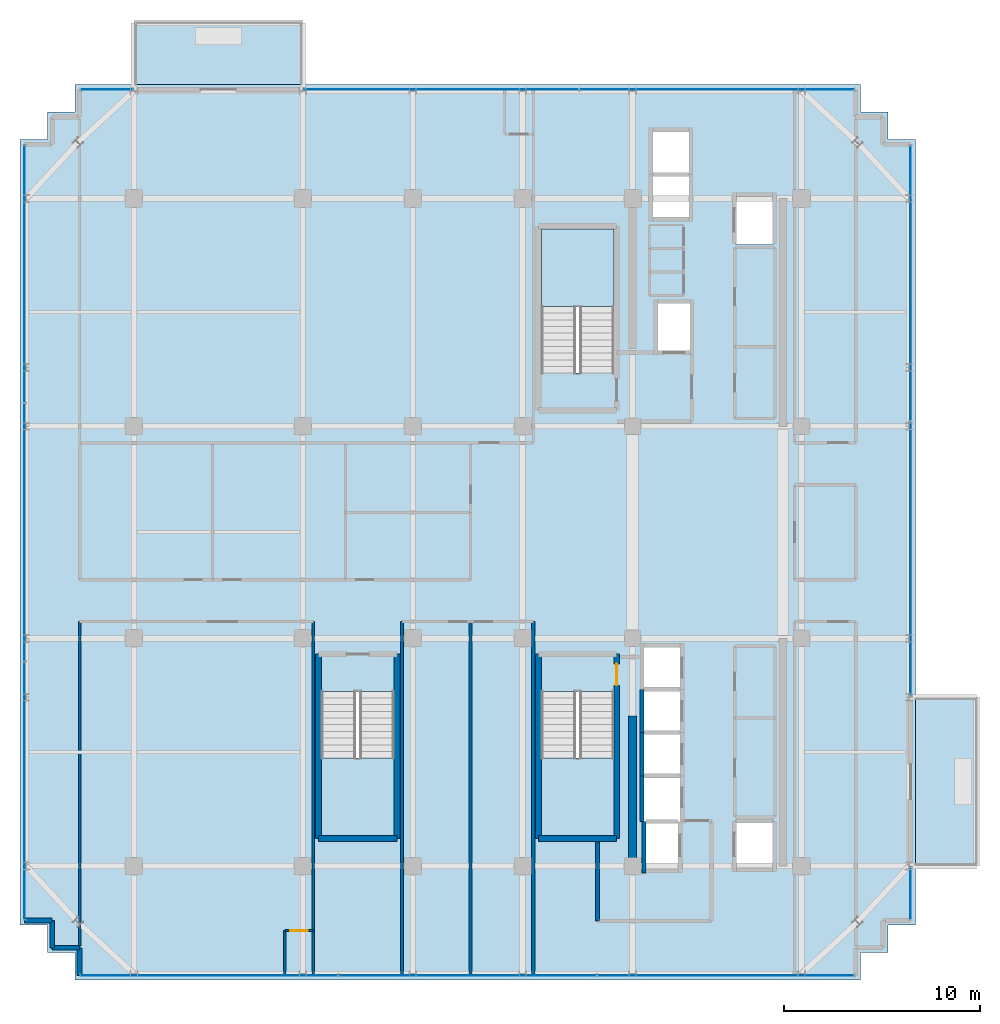
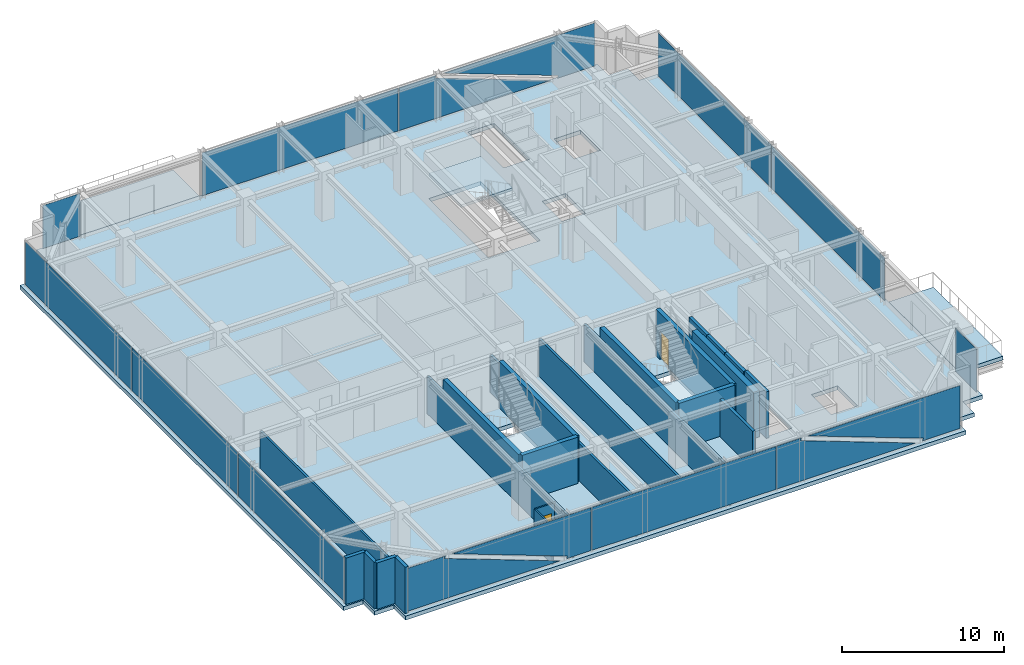
# One storey, part 23 of 31: 23 walls, 12 plates, 6 slabs, 2 doors, 2 openings, 9 elements without a shape of their own.
"""IFC4 building model written with IfcOpenShell, lengths in metres."""

from ifc_helpers import new_model, si_unit, direction, frame, frame_2d, origin, origin_2d, place, context, subcontext, project, spatial, polyline, rectangle, outline, extrude, source, transform, mapped, material, layer, layer_set, type_object, element, fill, aggregate, save


model = new_model("IFC4")

# Units and contexts
model_context = context("Model", 3, precision=1e-05, world=origin(), true_north=direction((0.0, 1.0)))
body_context = subcontext(model_context, "Body", "Model", "MODEL_VIEW")
ifc_project = project(units=[si_unit("LENGTHUNIT", "METRE"), si_unit("AREAUNIT", "SQUARE_METRE"), si_unit("VOLUMEUNIT", "CUBIC_METRE"), si_unit("PLANEANGLEUNIT", "RADIAN"), si_unit("MASSUNIT", "GRAM", prefix="KILO")], contexts=[model_context])

# Site, building, storey
site_placement = place(None, origin())
site = spatial("IfcSite", under=ifc_project, at=site_placement, CompositionType="ELEMENT")
building_placement = place(site_placement, origin())
building = spatial("IfcBuilding", under=site, at=building_placement, Name="Nahalor Promenade Grand Hotel", CompositionType="ELEMENT")
storey_placement = place(building_placement, frame((0.0, 0.0, 327.14990234375)))
storey = spatial("IfcBuildingStorey", under=building, at=storey_placement, Name="L84", CompositionType="ELEMENT", Elevation=327.14990234375)

# Curtain wall, plates
ifc_material_1 = material(Name="Anodised Bronze Aluminium EN AW-6063 T6", Category="aluminium")
curtain_wall_type = type_object("IfcCurtainWallType", Name="CW2 Typical Hotel Flush Bronze Unitised Curtain Wall", PredefinedType="USERDEFINED", material=ifc_material_1)
curtain_wall_1_placement = place(storey_placement, origin())
curtain_wall_1 = element("IfcCurtainWall", 1, at=curtain_wall_1_placement, inside=storey, type_object=curtain_wall_type, Name="L84 Curtain Wall CW-L84-S-1", ObjectType="UNITISED_CURTAIN_WALL", PredefinedType="USERDEFINED")
ifc_material_2 = material(Name="Low-E Laminated Solar Glass", Category="glass")
ifc_layer_1 = layer(ifc_material_2, 0.028076171875)
ifc_layer_set_1 = layer_set([ifc_layer_1], Name="Low-E Laminated Solar Glass")
plate_type = type_object("IfcPlateType", Name="CWP2 Bronze Low-E Vision IGU 28mm", PredefinedType="CURTAIN_PANEL", material=ifc_layer_set_1)
plate_1_placement = place(storey_placement, frame((-13.156982421875, -22.56005859375, 0.1298828125), z_axis=(0.0, 0.0, 1.0), x_axis=(1.0, 0.0, 0.0)))
plate_1 = element("IfcPlate", 2, at=plate_1_placement, type_object=plate_type, Name="CW-L84-S-1 Glazing Panel 0-0", PredefinedType="CURTAIN_PANEL", context=body_context, shape_type="SweptSolid", body=[
    extrude(outline(polyline([(-6.537841796875, 3.239990234375), (-6.537841796875, 0.0), (4.30908203125, 0.0), (-3.927490234375, 3.064697265625), (-3.862060546875, 3.239990234375), (-6.537841796875, 3.239990234375)])), frame((0.0, 0.01416015625, 0.0), z_axis=(0.0, -1.0, 0.0), x_axis=(1.0, 0.0, 0.0)), (0.0, 0.0, 1.0), 0.028076171875),
    extrude(outline(polyline([(6.537841796875, 0.0), (6.537841796875, 3.239990234375), (-3.394775390625, 3.239990234375), (4.841552734375, 0.17529296875), (4.7763671875, 0.0), (6.537841796875, 0.0)])), frame((0.0, 0.01416015625, 0.0), z_axis=(0.0, -1.0, 0.0), x_axis=(1.0, 0.0, 0.0)), (0.0, 0.0, 1.0), 0.028076171875),
])
plate_2_placement = place(storey_placement, frame((13.156982421875, -22.56005859375, 0.1298828125), z_axis=(0.0, 0.0, 1.0), x_axis=(1.0, 0.0, 0.0)))
plate_2 = element("IfcPlate", 3, at=plate_2_placement, type_object=plate_type, Name="CW-L84-S-1 Glazing Panel 2-0", PredefinedType="CURTAIN_PANEL", context=body_context, shape_type="SweptSolid", body=[
    extrude(outline(polyline([(-6.537841796875, 3.239990234375), (-6.537841796875, 0.0), (3.394775390625, 0.0), (-4.841552734375, 3.064697265625), (-4.7763671875, 3.239990234375), (-6.537841796875, 3.239990234375)])), frame((0.0, 0.01416015625, 0.0), z_axis=(0.0, -1.0, 0.0), x_axis=(1.0, 0.0, 0.0)), (0.0, 0.0, 1.0), 0.028076171875),
    extrude(outline(polyline([(6.537841796875, 0.0), (6.537841796875, 3.239990234375), (-4.30908203125, 3.239990234375), (3.927490234375, 0.17529296875), (3.862060546875, 0.0), (6.537841796875, 0.0)])), frame((0.0, 0.01416015625, 0.0), z_axis=(0.0, -1.0, 0.0), x_axis=(1.0, 0.0, 0.0)), (0.0, 0.0, 1.0), 0.028076171875),
])

# Curtain wall, plate
curtain_wall_2_placement = place(storey_placement, origin())
curtain_wall_2 = element("IfcCurtainWall", 4, at=curtain_wall_2_placement, inside=storey, type_object=curtain_wall_type, Name="L84 Curtain Wall CW-L84-N-3", ObjectType="UNITISED_CURTAIN_WALL", PredefinedType="USERDEFINED")
plate_3_placement = place(storey_placement, frame((12.703857421875, 22.56005859375, 0.1298828125), z_axis=(0.0, 0.0, 1.0), x_axis=(1.0, 0.0, 0.0)))
plate_3 = element("IfcPlate", 5, at=plate_3_placement, type_object=plate_type, Name="CW-L84-N-3 Glazing Panel 1-0", PredefinedType="CURTAIN_PANEL", context=body_context, shape_type="SweptSolid", body=[
    extrude(outline(polyline([(-6.9912109375, 3.239990234375), (-6.9912109375, 0.0), (3.84814453125, 0.0), (-4.38818359375, 3.064697265625), (-4.322998046875, 3.239990234375), (-6.9912109375, 3.239990234375)])), frame((0.0, 0.01416015625, 0.0), z_axis=(0.0, -1.0, 0.0), x_axis=(1.0, 0.0, 0.0)), (0.0, 0.0, 1.0), 0.028076171875),
    extrude(outline(polyline([(6.9912109375, 0.0), (6.9912109375, 3.239990234375), (-3.855712890625, 3.239990234375), (4.380615234375, 0.17529296875), (4.3154296875, 0.0), (6.9912109375, 0.0)])), frame((0.0, 0.01416015625, 0.0), z_axis=(0.0, -1.0, 0.0), x_axis=(1.0, 0.0, 0.0)), (0.0, 0.0, 1.0), 0.028076171875),
])

# Stair, slab
ifc_material_3 = material(Name="Concrete B-50 (C40/50)", Category="concrete")
stair_type_1 = type_object("IfcStairType", Name="Stair-ST1", PredefinedType="HALF_TURN_STAIR", material=ifc_material_3)
stair_1_placement = place(storey_placement, origin())
stair_1 = element("IfcStair", 6, at=stair_1_placement, inside=storey, type_object=stair_type_1, Name="L84 ST1", PredefinedType="HALF_TURN_STAIR")
ifc_layer_2 = layer(ifc_material_3, 0.199951171875)
ifc_layer_set_2 = layer_set([ifc_layer_2], Name="Concrete B-50 (C40/50)")
slab_type_1 = type_object("IfcSlabType", Name="Landing-ST1", PredefinedType="LANDING", material=ifc_layer_set_2)
slab_1_placement = place(storey_placement, frame((0.0, 0.0, 1.7001953125)))
slab_1 = element("IfcSlab", 7, at=slab_1_placement, type_object=slab_type_1, Name="ST1 landing 1", PredefinedType="LANDING", context=body_context, shape_type="SweptSolid", body=[
    extrude(outline(polyline([(7.449951171875, 11.5), (7.449951171875, 15.449951171875), (3.75, 15.449951171875), (3.75, 11.5), (7.449951171875, 11.5)])), origin(), (0.0, 0.0, 1.0), 0.199951171875),
])
aggregate(stair_1, [slab_1])

stair_type_2 = type_object("IfcStairType", Name="Stair-ST2", PredefinedType="HALF_TURN_STAIR", material=ifc_material_3)
stair_2_placement = place(storey_placement, origin())
stair_2 = element("IfcStair", 8, at=stair_2_placement, inside=storey, type_object=stair_type_2, Name="L84 ST2", PredefinedType="HALF_TURN_STAIR")
ifc_layer_3 = layer(ifc_material_3, 0.2099609375)
ifc_layer_set_3 = layer_set([ifc_layer_3], Name="Concrete B-50 (C40/50)")
slab_type_2 = type_object("IfcSlabType", Name="Landing-ST2", PredefinedType="LANDING", material=ifc_layer_set_3)
slab_2_placement = place(storey_placement, frame((0.0, 0.0, 1.690185546875)))
slab_2 = element("IfcSlab", 9, at=slab_2_placement, type_object=slab_type_2, Name="ST2 landing 1", PredefinedType="LANDING", context=body_context, shape_type="SweptSolid", body=[
    extrude(outline(polyline([(3.75, -11.5), (3.75, -15.449951171875), (7.449951171875, -15.449951171875), (7.449951171875, -11.5), (3.75, -11.5)])), origin(), (0.0, 0.0, 1.0), 0.2099609375),
])
aggregate(stair_2, [slab_2])

stair_type_3 = type_object("IfcStairType", Name="Stair-ST3", PredefinedType="HALF_TURN_STAIR", material=ifc_material_3)
stair_3_placement = place(storey_placement, origin())
stair_3 = element("IfcStair", 10, at=stair_3_placement, inside=storey, type_object=stair_type_3, Name="L84 ST3", PredefinedType="HALF_TURN_STAIR")
ifc_layer_4 = layer(ifc_material_3, 0.219970703125)
ifc_layer_set_4 = layer_set([ifc_layer_4], Name="Concrete B-50 (C40/50)")
slab_type_3 = type_object("IfcSlabType", Name="Landing-ST3", PredefinedType="LANDING", material=ifc_layer_set_4)
slab_3_placement = place(storey_placement, frame((0.0, 0.0, 1.68017578125)))
slab_3 = element("IfcSlab", 11, at=slab_3_placement, type_object=slab_type_3, Name="ST3 landing 1", PredefinedType="LANDING", context=body_context, shape_type="SweptSolid", body=[
    extrude(outline(polyline([(-7.449951171875, -11.5), (-7.449951171875, -15.449951171875), (-3.75, -15.449951171875), (-3.75, -11.5), (-7.449951171875, -11.5)])), origin(), (0.0, 0.0, 1.0), 0.219970703125),
])
aggregate(stair_3, [slab_3])

# Slabs
ifc_layer_5 = layer(ifc_material_3, 0.280029296875)
ifc_layer_set_5 = layer_set([ifc_layer_5], Name="Concrete B-50 (C40/50)")
slab_type_4 = type_object("IfcSlabType", Name="Slab-Balcony-280", PredefinedType="FLOOR", material=ifc_layer_set_5)
slab_4_placement = place(storey_placement, frame((0.0, 0.0, -0.27978515625)))
element("IfcSlab", 12, at=slab_4_placement, inside=storey, type_object=slab_type_4, Name="L84 Cantilevered Planted Balcony 1", PredefinedType="FLOOR", context=body_context, shape_type="SweptSolid", body=[
    extrude(outline(polyline([(-17.0, 22.800048828125), (-8.39990234375, 22.800048828125), (-8.39990234375, 26.02001953125), (-17.0, 26.02001953125), (-17.0, 22.800048828125)])), origin(), (0.0, 0.0, 1.0), 0.27978515625),
])
slab_5_placement = place(storey_placement, frame((0.0, 0.0, -0.27978515625)))
element("IfcSlab", 13, at=slab_5_placement, inside=storey, type_object=slab_type_4, Name="L84 Cantilevered Planted Balcony 2", PredefinedType="FLOOR", context=body_context, shape_type="SweptSolid", body=[
    extrude(outline(polyline([(22.800048828125, -17.0), (25.989990234375, -17.0), (25.989990234375, -8.39990234375), (22.800048828125, -8.39990234375), (22.800048828125, -17.0)])), origin(), (0.0, 0.0, 1.0), 0.27978515625),
])
ifc_layer_6 = layer(ifc_material_3, 0.300048828125)
ifc_layer_set_6 = layer_set([ifc_layer_6], Name="Concrete B-50 (C40/50)")
slab_type_5 = type_object("IfcSlabType", Name="Slab-TowerZ5-300", PredefinedType="FLOOR", material=ifc_layer_set_6)
slab_6_placement = place(storey_placement, frame((0.0, 0.0, -0.2998046875)))
element("IfcSlab", 14, at=slab_6_placement, inside=storey, type_object=slab_type_5, Name="L84 Suspended Structural Floor Slab", PredefinedType="FLOOR", context=body_context, shape_type="SweptSolid", body=[
    extrude(outline(polyline([(-20.0, -22.800048828125), (20.0, -22.800048828125), (20.0, -21.39990234375), (21.39990234375, -21.39990234375), (21.39990234375, -20.0), (22.800048828125, -20.0), (22.800048828125, 20.0), (21.39990234375, 20.0), (21.39990234375, 21.39990234375), (20.0, 21.39990234375), (20.0, 22.800048828125), (-20.0, 22.800048828125), (-20.0, 21.39990234375), (-21.39990234375, 21.39990234375), (-21.39990234375, 20.0), (-22.800048828125, 20.0), (-22.800048828125, -20.0), (-21.39990234375, -20.0), (-21.39990234375, -21.39990234375), (-20.0, -21.39990234375), (-20.0, -22.800048828125)]), holes=[polyline([(3.75, 8.10009765625), (7.449951171875, 8.10009765625), (7.449951171875, 15.449951171875), (3.75, 15.449951171875), (3.75, 8.10009765625)]), polyline([(3.75, -15.449951171875), (7.449951171875, -15.449951171875), (7.449951171875, -8.10009765625), (3.75, -8.10009765625), (3.75, -15.449951171875)]), polyline([(-7.449951171875, -15.449951171875), (-3.75, -15.449951171875), (-3.75, -8.10009765625), (-7.449951171875, -8.10009765625), (-7.449951171875, -15.449951171875)]), polyline([(8.9599609375, -17.18994140625), (10.840087890625, -17.18994140625), (10.840087890625, -5.81005859375), (8.9599609375, -5.81005859375), (8.9599609375, -17.18994140625)]), polyline([(9.409912109375, 16.010009765625), (11.2900390625, 16.010009765625), (11.2900390625, 20.43994140625), (9.409912109375, 20.43994140625), (9.409912109375, 16.010009765625)]), polyline([(9.659912109375, 9.2099609375), (11.340087890625, 9.2099609375), (11.340087890625, 11.68994140625), (9.659912109375, 11.68994140625), (9.659912109375, 9.2099609375)]), polyline([(13.659912109375, 14.659912109375), (15.5400390625, 14.659912109375), (15.5400390625, 17.139892578125), (13.659912109375, 17.139892578125), (13.659912109375, 14.659912109375)]), polyline([(13.659912109375, -17.139892578125), (15.5400390625, -17.139892578125), (15.5400390625, -14.659912109375), (13.659912109375, -14.659912109375), (13.659912109375, -17.139892578125)])]), origin(), (0.0, 0.0, 1.0), 0.2998046875),
])

# Curtain wall, plate
curtain_wall_3_placement = place(storey_placement, origin())
curtain_wall_3 = element("IfcCurtainWall", 15, at=curtain_wall_3_placement, inside=storey, type_object=curtain_wall_type, Name="L84 Curtain Wall CW-L84-N-1", ObjectType="UNITISED_CURTAIN_WALL", PredefinedType="USERDEFINED")
shared_shape_1 = source(origin(), body_context, "Body", "SweptSolid", [
    extrude(rectangle(XDim=2.6298828125, YDim=0.028076171875, at=origin_2d()), origin(), (0.0, 0.0, 1.0), 3.239990234375),
])
plate_4_placement = place(storey_placement, frame((-18.3798828125, 22.56005859375, 0.1298828125), z_axis=(0.0, 0.0, 1.0), x_axis=(1.0, 0.0, 0.0)))
plate_4 = element("IfcPlate", 16, at=plate_4_placement, type_object=plate_type, Name="CW-L84-N-1 Glazing Panel 0-0", PredefinedType="CURTAIN_PANEL", context=body_context, shape_type="MappedRepresentation", body=[
    mapped(shared_shape_1, transform((0.0, 0.0, 0.0), scale=1.0)),
])
aggregate(curtain_wall_3, [plate_4])

curtain_wall_4_placement = place(storey_placement, origin())
curtain_wall_4 = element("IfcCurtainWall", 17, at=curtain_wall_4_placement, inside=storey, type_object=curtain_wall_type, Name="L84 Curtain Wall CW-L84-E-1", ObjectType="UNITISED_CURTAIN_WALL", PredefinedType="USERDEFINED")
plate_5_placement = place(storey_placement, frame((22.56005859375, -18.3798828125, 0.1298828125), z_axis=(0.0, 0.0, 1.0), x_axis=(0.0, 1.0, 0.0)))
plate_5 = element("IfcPlate", 18, at=plate_5_placement, type_object=plate_type, Name="CW-L84-E-1 Glazing Panel 0-0", PredefinedType="CURTAIN_PANEL", context=body_context, shape_type="MappedRepresentation", body=[
    mapped(shared_shape_1, transform((0.0, 0.0, 0.0), scale=1.0)),
])
aggregate(curtain_wall_4, [plate_5])

# Plate
shared_shape_2 = source(origin(), body_context, "Body", "SweptSolid", [
    extrude(rectangle(XDim=13.982421875, YDim=0.028076171875, at=origin_2d()), origin(), (0.0, 0.0, 1.0), 3.239990234375),
])
plate_6_placement = place(storey_placement, frame((-1.34375, 22.56005859375, 0.1298828125), z_axis=(0.0, 0.0, 1.0), x_axis=(1.0, 0.0, 0.0)))
plate_6 = element("IfcPlate", 19, at=plate_6_placement, type_object=plate_type, Name="CW-L84-N-3 Glazing Panel 0-0", PredefinedType="CURTAIN_PANEL", context=body_context, shape_type="MappedRepresentation", body=[
    mapped(shared_shape_2, transform((0.0, 0.0, 0.0), scale=1.0)),
])

aggregate(curtain_wall_2, [plate_6, plate_3])

# Curtain wall, plates
curtain_wall_5_placement = place(storey_placement, origin())
curtain_wall_5 = element("IfcCurtainWall", 20, at=curtain_wall_5_placement, inside=storey, type_object=curtain_wall_type, Name="L84 Curtain Wall CW-L84-E-3", ObjectType="UNITISED_CURTAIN_WALL", PredefinedType="USERDEFINED")
plate_7_placement = place(storey_placement, frame((22.56005859375, -1.34375, 0.1298828125), z_axis=(0.0, 0.0, 1.0), x_axis=(0.0, 1.0, 0.0)))
plate_7 = element("IfcPlate", 21, at=plate_7_placement, type_object=plate_type, Name="CW-L84-E-3 Glazing Panel 0-0", PredefinedType="CURTAIN_PANEL", context=body_context, shape_type="MappedRepresentation", body=[
    mapped(shared_shape_2, transform((0.0, 0.0, 0.0), scale=1.0)),
])
plate_8_placement = place(storey_placement, frame((22.56005859375, 12.703857421875, 0.1298828125), z_axis=(0.0, 0.0, 1.0), x_axis=(0.0, 1.0, 0.0)))
plate_8 = element("IfcPlate", 22, at=plate_8_placement, type_object=plate_type, Name="CW-L84-E-3 Glazing Panel 1-0", PredefinedType="CURTAIN_PANEL", context=body_context, shape_type="MappedRepresentation", body=[
    mapped(shared_shape_2, transform((0.0, 0.0, 0.0), scale=1.0)),
])
aggregate(curtain_wall_5, [plate_7, plate_8])

curtain_wall_6_placement = place(storey_placement, origin())
curtain_wall_6 = element("IfcCurtainWall", 23, at=curtain_wall_6_placement, inside=storey, type_object=curtain_wall_type, Name="L84 Curtain Wall CW-L84-W-1", ObjectType="UNITISED_CURTAIN_WALL", PredefinedType="USERDEFINED")
shared_shape_3 = source(origin(), body_context, "Body", "SweptSolid", [
    extrude(rectangle(XDim=13.075927734375, YDim=0.028076171875, at=origin_2d()), origin(), (0.0, 0.0, 1.0), 3.239990234375),
])
plate_9_placement = place(storey_placement, frame((-22.56005859375, -13.156982421875, 0.1298828125), z_axis=(0.0, 0.0, 1.0), x_axis=(0.0, 1.0, 0.0)))
plate_9 = element("IfcPlate", 24, at=plate_9_placement, type_object=plate_type, Name="CW-L84-W-1 Glazing Panel 0-0", PredefinedType="CURTAIN_PANEL", context=body_context, shape_type="MappedRepresentation", body=[
    mapped(shared_shape_3, transform((0.0, 0.0, 0.0), scale=1.0)),
])
plate_10_placement = place(storey_placement, frame((-22.56005859375, 13.156982421875, 0.1298828125), z_axis=(0.0, 0.0, 1.0), x_axis=(0.0, 1.0, 0.0)))
plate_10 = element("IfcPlate", 25, at=plate_10_placement, type_object=plate_type, Name="CW-L84-W-1 Glazing Panel 2-0", PredefinedType="CURTAIN_PANEL", context=body_context, shape_type="MappedRepresentation", body=[
    mapped(shared_shape_3, transform((0.0, 0.0, 0.0), scale=1.0)),
])

# Plate
shared_shape_4 = source(origin(), body_context, "Body", "SweptSolid", [
    extrude(rectangle(XDim=13.1083984375, YDim=0.028076171875, at=origin_2d()), origin(), (0.0, 0.0, 1.0), 3.239990234375),
])
plate_11_placement = place(storey_placement, frame((0.0, -22.56005859375, 0.1298828125), z_axis=(0.0, 0.0, 1.0), x_axis=(1.0, 0.0, 0.0)))
plate_11 = element("IfcPlate", 26, at=plate_11_placement, type_object=plate_type, Name="CW-L84-S-1 Glazing Panel 1-0", PredefinedType="CURTAIN_PANEL", context=body_context, shape_type="MappedRepresentation", body=[
    mapped(shared_shape_4, transform((0.0, 0.0, 0.0), scale=1.0)),
])

aggregate(curtain_wall_1, [plate_1, plate_11, plate_2])

plate_12_placement = place(storey_placement, frame((-22.56005859375, 0.0, 0.1298828125), z_axis=(0.0, 0.0, 1.0), x_axis=(0.0, 1.0, 0.0)))
plate_12 = element("IfcPlate", 27, at=plate_12_placement, type_object=plate_type, Name="CW-L84-W-1 Glazing Panel 1-0", PredefinedType="CURTAIN_PANEL", context=body_context, shape_type="MappedRepresentation", body=[
    mapped(shared_shape_4, transform((0.0, 0.0, 0.0), scale=1.0)),
])

aggregate(curtain_wall_6, [plate_9, plate_12, plate_10])

# Walls
ifc_layer_7 = layer(ifc_material_3, 0.39990234375)
ifc_layer_set_7 = layer_set([ifc_layer_7], Name="Concrete B-50 (C40/50)")
wall_type_1 = type_object("IfcWallType", Name="Wall-CoreShear-400", PredefinedType="SHEAR", material=ifc_layer_set_7)
shared_shape_5 = source(origin(), body_context, "Body", "SweptSolid", [
    extrude(rectangle(XDim=7.64990234375, YDim=0.39990234375, at=frame_2d((3.824951171875, 0.0))), origin(), (0.0, 0.0, 1.0), 3.5),
])
wall_1_placement = place(storey_placement, frame((8.39990234375, -17.0, 0.0), z_axis=(0.0, 0.0, 1.0), x_axis=(0.0, 1.0, 0.0)))
element("IfcWall", 28, at=wall_1_placement, inside=storey, type_object=wall_type_1, Name="CWALL-L84-SW", PredefinedType="SHEAR", context=body_context, shape_type="MappedRepresentation", body=[
    mapped(shared_shape_5, transform((0.0, 0.0, 0.0), scale=1.0)),
])
ifc_layer_8 = layer(ifc_material_3, 0.300048828125)
ifc_layer_set_8 = layer_set([ifc_layer_8], Name="Concrete B-50 (C40/50)")
wall_type_2 = type_object("IfcWallType", Name="Wall-ShaftShear-300", PredefinedType="SHEAR", material=ifc_layer_set_8)
shared_shape_6 = source(origin(), body_context, "Body", "SweptSolid", [
    extrude(rectangle(XDim=3.97998046875, YDim=0.300048828125, at=frame_2d((1.989990234375, 0.0))), origin(), (0.0, 0.0, 1.0), 3.5),
])
for number, where, z_axis, x_axis, name in (
    (29, (3.610107421875, -15.590087890625, 0.0), (0.0, 0.0, 1.0), (1.0, 0.0, 0.0), "L84 Exit Stair ST2 Shaft Wall S"),
    (30, (-7.590087890625, -15.590087890625, 0.0), (0.0, 0.0, 1.0), (1.0, 0.0, 0.0), "L84 Exit Stair ST3 Shaft Wall S"),
):
    element("IfcWall", number, at=place(storey_placement, frame(where, z_axis=z_axis, x_axis=x_axis)), inside=storey, type_object=wall_type_2, Name=name, PredefinedType="SHEAR", context=body_context, shape_type="MappedRepresentation", body=[
        mapped(shared_shape_6, transform((0.0, 0.0, 0.0), scale=1.0)),
    ])
shared_shape_7 = source(origin(), body_context, "Body", "SweptSolid", [
    extrude(rectangle(XDim=9.380126953125, YDim=0.300048828125, at=frame_2d((4.68994140625, 0.0))), origin(), (0.0, 0.0, 1.0), 3.5),
])
wall_2_placement = place(storey_placement, frame((3.610107421875, -15.590087890625, 0.0), z_axis=(0.0, 0.0, 1.0), x_axis=(0.0, 1.0, 0.0)))
element("IfcWall", 31, at=wall_2_placement, inside=storey, type_object=wall_type_2, Name="L84 Exit Stair ST2 Shaft Wall W", PredefinedType="SHEAR", context=body_context, shape_type="MappedRepresentation", body=[
    mapped(shared_shape_7, transform((0.0, 0.0, 0.0), scale=1.0)),
])

# Wall, opening, door
wall_3_placement = place(storey_placement, frame((7.590087890625, -15.590087890625, 0.0), z_axis=(0.0, 0.0, 1.0), x_axis=(0.0, 1.0, 0.0)))
wall_3 = element("IfcWall", 32, at=wall_3_placement, inside=storey, type_object=wall_type_2, Name="L84 Exit Stair ST2 Shaft Wall E", PredefinedType="SHEAR", context=body_context, shape_type="MappedRepresentation", body=[
    mapped(shared_shape_7, transform((0.0, 0.0, 0.0), scale=1.0)),
])
opening_1_placement = place(wall_3_placement, frame((7.7900390625, 0.0, 0.0)))
opening_1 = element("IfcOpeningElement", 33, at=opening_1_placement, cuts=wall_3, Name="Opening D-ST1", PredefinedType="OPENING", context=body_context, shape_type="SweptSolid", body=[
    extrude(rectangle(XDim=1.10009765625, YDim=2.14990234375, at=frame_2d((0.550048828125, 1.074951171875))), frame((0.0, 0.159912109375, 0.0), z_axis=(0.0, -1.0, 0.0), x_axis=(1.0, 0.0, 0.0)), (0.0, 0.0, 1.0), 0.320068359375),
])
ifc_material_4 = material(Name="Steel S355JR", Category="steel")
door_type_1 = type_object("IfcDoorType", Name="Door-StairFire-1100", OperationType="NOTDEFINED", PredefinedType="DOOR", material=ifc_material_4)
shared_shape_8 = source(origin(), body_context, "Body", "SweptSolid", [
    extrude(rectangle(XDim=1.10009765625, YDim=2.14990234375, at=frame_2d((0.550048828125, 1.074951171875))), frame((0.0, 0.02490234375, 0.0), z_axis=(0.0, -1.0, 0.0), x_axis=(1.0, 0.0, 0.0)), (0.0, 0.0, 1.0), 0.050048828125),
])
door_1_placement = place(opening_1_placement, origin())
door_1 = element("IfcDoor", 34, at=door_1_placement, inside=storey, type_object=door_type_1, Name="DR-STAIR-ST2-L84", OperationType="SINGLE_SWING_LEFT", OverallHeight=2.14990234375, OverallWidth=1.10009765625, PredefinedType="DOOR", context=body_context, shape_type="MappedRepresentation", body=[
    mapped(shared_shape_8, transform((0.0, 0.0, 0.0), scale=1.0)),
])
fill(opening_1, door_1)

# Walls
for number, where, z_axis, x_axis, name in (
    (35, (-7.590087890625, -15.590087890625, 0.0), (0.0, 0.0, 1.0), (0.0, 1.0, 0.0), "L84 Exit Stair ST3 Shaft Wall W"),
    (36, (-3.610107421875, -15.590087890625, 0.0), (0.0, 0.0, 1.0), (0.0, 1.0, 0.0), "L84 Exit Stair ST3 Shaft Wall E"),
):
    element("IfcWall", number, at=place(storey_placement, frame(where, z_axis=z_axis, x_axis=x_axis)), inside=storey, type_object=wall_type_2, Name=name, PredefinedType="SHEAR", context=body_context, shape_type="MappedRepresentation", body=[
        mapped(shared_shape_7, transform((0.0, 0.0, 0.0), scale=1.0)),
    ])
ifc_layer_9 = layer(ifc_material_3, 0.219970703125)
ifc_layer_set_9 = layer_set([ifc_layer_9], Name="Concrete B-50 (C40/50)")
wall_type_3 = type_object("IfcWallType", Name="Wall-LiftShaft-220", PredefinedType="SHEAR", material=ifc_layer_set_9)
shared_shape_9 = source(origin(), body_context, "Body", "SweptSolid", [
    extrude(rectangle(XDim=2.199951171875, YDim=0.219970703125, at=frame_2d((1.10009765625, 0.0))), origin(), (0.0, 0.0, 1.0), 3.5),
])
for number, where, z_axis, x_axis, name in (
    (37, (8.8798828125, -10.199951171875, 0.0), (0.0, 0.0, 1.0), (0.0, 1.0, 0.0), "L84 Lift PL10 Hoistway Wall W"),
    (38, (8.8798828125, -12.39990234375, 0.0), (0.0, 0.0, 1.0), (0.0, 1.0, 0.0), "L84 Lift PL11 Hoistway Wall W"),
):
    element("IfcWall", number, at=place(storey_placement, frame(where, z_axis=z_axis, x_axis=x_axis)), inside=storey, type_object=wall_type_3, Name=name, PredefinedType="SHEAR", context=body_context, shape_type="MappedRepresentation", body=[
        mapped(shared_shape_9, transform((0.0, 0.0, 0.0), scale=1.0)),
    ])
shared_shape_10 = source(origin(), body_context, "Body", "SweptSolid", [
    extrude(rectangle(XDim=2.3251953125, YDim=0.219970703125, at=frame_2d((1.16259765625, 0.0))), origin(), (0.0, 0.0, 1.0), 3.5),
])
wall_4_placement = place(storey_placement, frame((8.8798828125, -14.72509765625, 0.0), z_axis=(0.0, 0.0, 1.0), x_axis=(0.0, 1.0, 0.0)))
element("IfcWall", 39, at=wall_4_placement, inside=storey, type_object=wall_type_3, Name="L84 Lift PL12 Hoistway Wall W", PredefinedType="SHEAR", context=body_context, shape_type="MappedRepresentation", body=[
    mapped(shared_shape_10, transform((0.0, 0.0, 0.0), scale=1.0)),
])
shared_shape_11 = source(origin(), body_context, "Body", "SweptSolid", [
    extrude(rectangle(XDim=2.635009765625, YDim=0.219970703125, at=frame_2d((1.3173828125, 0.0))), origin(), (0.0, 0.0, 1.0), 3.5),
])
wall_5_placement = place(storey_placement, frame((8.97998046875, -17.360107421875, 0.0), z_axis=(0.0, 0.0, 1.0), x_axis=(0.0, 1.0, 0.0)))
element("IfcWall", 40, at=wall_5_placement, inside=storey, type_object=wall_type_3, Name="L84 Lift FL2 Hoistway Wall W", PredefinedType="SHEAR", context=body_context, shape_type="MappedRepresentation", body=[
    mapped(shared_shape_11, transform((0.0, 0.0, 0.0), scale=1.0)),
])
ifc_material_5 = material(Name="Concrete B-40 (C32/40)", Category="concrete")
ifc_layer_10 = layer(ifc_material_5, 0.25)
ifc_layer_set_10 = layer_set([ifc_layer_10], Name="Concrete B-40 (C32/40)")
wall_type_4 = type_object("IfcWallType", Name="Wall-BronzePier-250", PredefinedType="STANDARD", material=ifc_layer_set_10)
shared_shape_12 = source(origin(), body_context, "Body", "SweptSolid", [
    extrude(rectangle(XDim=1.400146484375, YDim=0.25, at=frame_2d((0.7001953125, 0.0))), origin(), (0.0, 0.0, 1.0), 3.5),
])
for number, where, z_axis, x_axis, name in (
    (41, (-22.56005859375, -19.760009765625, 0.0), (0.0, 0.0, 1.0), (1.0, 0.0, 0.0), "W-L84-SR-13"),
    (42, (-19.760009765625, -22.56005859375, 0.0), (0.0, 0.0, 1.0), (0.0, 1.0, 0.0), "W-L84-SR-16"),
):
    element("IfcWall", number, at=place(storey_placement, frame(where, z_axis=z_axis, x_axis=x_axis)), inside=storey, type_object=wall_type_4, Name=name, PredefinedType="STANDARD", context=body_context, shape_type="MappedRepresentation", body=[
        mapped(shared_shape_12, transform((0.0, 0.0, 0.0), scale=1.0)),
    ])
shared_shape_13 = source(origin(), body_context, "Body", "SweptSolid", [
    extrude(rectangle(XDim=1.39990234375, YDim=0.25, at=frame_2d((0.699951171875, 0.0))), origin(), (0.0, 0.0, 1.0), 3.5),
])
for number, where, z_axis, x_axis, name in (
    (43, (-21.159912109375, -21.159912109375, 0.0), (0.0, 0.0, 1.0), (0.0, 1.0, 0.0), "W-L84-SR-14"),
    (44, (-21.159912109375, -21.159912109375, 0.0), (0.0, 0.0, 1.0), (1.0, 0.0, 0.0), "W-L84-SR-15"),
):
    element("IfcWall", number, at=place(storey_placement, frame(where, z_axis=z_axis, x_axis=x_axis)), inside=storey, type_object=wall_type_4, Name=name, PredefinedType="STANDARD", context=body_context, shape_type="MappedRepresentation", body=[
        mapped(shared_shape_13, transform((0.0, 0.0, 0.0), scale=1.0)),
    ])
ifc_layer_11 = layer(ifc_material_5, 0.199951171875)
ifc_layer_set_11 = layer_set([ifc_layer_11], Name="Concrete B-40 (C32/40)")
wall_type_5 = type_object("IfcWallType", Name="Wall-PartFire-200", PredefinedType="PARTITIONING", material=ifc_layer_set_11)
shared_shape_14 = source(origin(), body_context, "Body", "SweptSolid", [
    extrude(rectangle(XDim=4.030029296875, YDim=0.199951171875, at=frame_2d((2.01513671875, 0.0))), origin(), (0.0, 0.0, 1.0), 2.840087890625),
])
wall_6_placement = place(storey_placement, frame((6.60009765625, -19.800048828125, 0.0), z_axis=(0.0, 0.0, 1.0), x_axis=(0.0, 1.0, 0.0)))
element("IfcWall", 45, at=wall_6_placement, inside=storey, type_object=wall_type_5, Name="W-L84-FF2-W1", PredefinedType="PARTITIONING", context=body_context, shape_type="MappedRepresentation", body=[
    mapped(shared_shape_14, transform((0.0, 0.0, 0.0), scale=1.0)),
])
ifc_material_6 = material(Name="Acoustic Mineral Gypsum", Category="gypsum")
ifc_layer_12 = layer(ifc_material_6, 0.159912109375)
ifc_layer_set_12 = layer_set([ifc_layer_12], Name="Acoustic Mineral Gypsum")
wall_type_6 = type_object("IfcWallType", Name="Wall-PartCorridor-160", PredefinedType="PARTITIONING", material=ifc_layer_set_12)
shared_shape_15 = source(origin(), body_context, "Body", "SweptSolid", [
    extrude(rectangle(XDim=17.949951171875, YDim=0.159912109375, at=frame_2d((8.97509765625, 0.0))), origin(), (0.0, 0.0, 1.0), 2.840087890625),
])
for number, where, z_axis, x_axis, name in (
    (46, (-3.340087890625, -22.5, 0.0), (0.0, 0.0, 1.0), (0.0, 1.0, 0.0), "W-L84-SCB1-W"),
    (47, (0.14990234375, -22.5, 0.0), (0.0, 0.0, 1.0), (0.0, 1.0, 0.0), "W-L84-SCB1-E"),
    (48, (3.340087890625, -22.5, 0.0), (0.0, 0.0, 1.0), (0.0, 1.0, 0.0), "W-L84-SCB2-E"),
):
    element("IfcWall", number, at=place(storey_placement, frame(where, z_axis=z_axis, x_axis=x_axis)), inside=storey, type_object=wall_type_6, Name=name, PredefinedType="PARTITIONING", context=body_context, shape_type="MappedRepresentation", body=[
        mapped(shared_shape_15, transform((0.0, 0.0, 0.0), scale=1.0)),
    ])
ifc_layer_13 = layer(ifc_material_6, 0.139892578125)
ifc_layer_set_13 = layer_set([ifc_layer_13], Name="Acoustic Mineral Gypsum")
wall_type_7 = type_object("IfcWallType", Name="Wall-PartSuite-140", PredefinedType="PARTITIONING", material=ifc_layer_set_13)
shared_shape_16 = source(origin(), body_context, "Body", "SweptSolid", [
    extrude(rectangle(XDim=16.530029296875, YDim=0.139892578125, at=frame_2d((8.26513671875, 0.0))), origin(), (0.0, 0.0, 1.0), 2.840087890625),
])
wall_7_placement = place(storey_placement, frame((-19.760009765625, -21.080078125, 0.0), z_axis=(0.0, 0.0, 1.0), x_axis=(0.0, 1.0, 0.0)))
element("IfcWall", 49, at=wall_7_placement, inside=storey, type_object=wall_type_7, Name="W-L84-SW-ENDW", PredefinedType="PARTITIONING", context=body_context, shape_type="MappedRepresentation", body=[
    mapped(shared_shape_16, transform((0.0, 0.0, 0.0), scale=1.0)),
])
shared_shape_17 = source(origin(), body_context, "Body", "SweptSolid", [
    extrude(rectangle(XDim=17.949951171875, YDim=0.139892578125, at=frame_2d((8.97509765625, 0.0))), origin(), (0.0, 0.0, 1.0), 2.840087890625),
])
wall_8_placement = place(storey_placement, frame((-7.860107421875, -22.5, 0.0), z_axis=(0.0, 0.0, 1.0), x_axis=(0.0, 1.0, 0.0)))
element("IfcWall", 50, at=wall_8_placement, inside=storey, type_object=wall_type_7, Name="W-L84-SW-ENDE", PredefinedType="PARTITIONING", context=body_context, shape_type="MappedRepresentation", body=[
    mapped(shared_shape_17, transform((0.0, 0.0, 0.0), scale=1.0)),
])
ifc_layer_14 = layer(ifc_material_6, 0.1201171875)
ifc_layer_set_14 = layer_set([ifc_layer_14], Name="Acoustic Mineral Gypsum")
wall_type_8 = type_object("IfcWallType", Name="Wall-PartBath-120", PredefinedType="PARTITIONING", material=ifc_layer_set_14)
shared_shape_18 = source(origin(), body_context, "Body", "SweptSolid", [
    extrude(rectangle(XDim=2.219970703125, YDim=0.1201171875, at=frame_2d((1.10986328125, 0.0))), origin(), (0.0, 0.0, 1.0), 2.840087890625),
])
wall_9_placement = place(storey_placement, frame((-9.31005859375, -22.5, 0.0), z_axis=(0.0, 0.0, 1.0), x_axis=(0.0, 1.0, 0.0)))
element("IfcWall", 51, at=wall_9_placement, inside=storey, type_object=wall_type_8, Name="W-L84-S1-BV", PredefinedType="PARTITIONING", context=body_context, shape_type="MappedRepresentation", body=[
    mapped(shared_shape_18, transform((0.0, 0.0, 0.0), scale=1.0)),
])

# Wall, opening, door
shared_shape_19 = source(origin(), body_context, "Body", "SweptSolid", [
    extrude(rectangle(XDim=1.449951171875, YDim=0.1201171875, at=frame_2d((0.72509765625, 0.0))), origin(), (0.0, 0.0, 1.0), 2.840087890625),
])
wall_10_placement = place(storey_placement, frame((-9.31005859375, -20.280029296875, 0.0), z_axis=(0.0, 0.0, 1.0), x_axis=(1.0, 0.0, 0.0)))
wall_10 = element("IfcWall", 52, at=wall_10_placement, inside=storey, type_object=wall_type_8, Name="W-L84-S1-BH", PredefinedType="PARTITIONING", context=body_context, shape_type="MappedRepresentation", body=[
    mapped(shared_shape_19, transform((0.0, 0.0, 0.0), scale=1.0)),
])
opening_2_placement = place(wall_10_placement, frame((0.284912109375, 0.0, 0.0)))
opening_2 = element("IfcOpeningElement", 53, at=opening_2_placement, cuts=wall_10, Name="Opening D-03", PredefinedType="OPENING", context=body_context, shape_type="SweptSolid", body=[
    extrude(rectangle(XDim=0.8798828125, YDim=2.10009765625, at=frame_2d((0.43994140625, 1.050048828125))), frame((0.0, 0.070068359375, 0.0), z_axis=(0.0, -1.0, 0.0), x_axis=(1.0, 0.0, 0.0)), (0.0, 0.0, 1.0), 0.14013671875),
])
ifc_material_7 = material(Name="Fire-Rated Timber Composite", Category="wood")
door_type_2 = type_object("IfcDoorType", Name="Door-BathSwing-880", OperationType="NOTDEFINED", PredefinedType="DOOR", material=ifc_material_7)
shared_shape_20 = source(origin(), body_context, "Body", "SweptSolid", [
    extrude(rectangle(XDim=0.8798828125, YDim=2.10009765625, at=frame_2d((0.43994140625, 1.050048828125))), frame((0.0, 0.02490234375, 0.0), z_axis=(0.0, -1.0, 0.0), x_axis=(1.0, 0.0, 0.0)), (0.0, 0.0, 1.0), 0.050048828125),
])
door_2_placement = place(opening_2_placement, frame((0.8798828125, 0.0, 0.0), z_axis=(0.0, 0.0, 1.0), x_axis=(-1.0, 0.0, 0.0)))
door_2 = element("IfcDoor", 54, at=door_2_placement, inside=storey, type_object=door_type_2, Name="DR-L84-S1-BATH", OperationType="SINGLE_SWING_RIGHT", OverallHeight=2.10009765625, OverallWidth=0.8798828125, PredefinedType="DOOR", context=body_context, shape_type="MappedRepresentation", body=[
    mapped(shared_shape_20, transform((0.0, 0.0, 0.0), scale=1.0)),
])
fill(opening_2, door_2)

save(model, "model.ifc")
